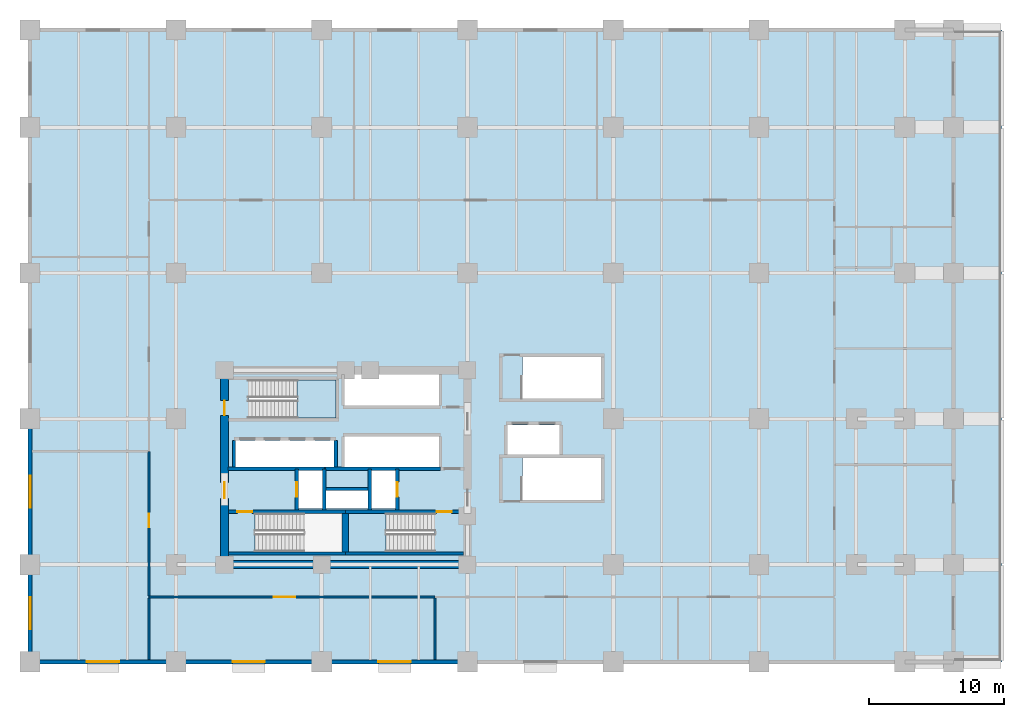
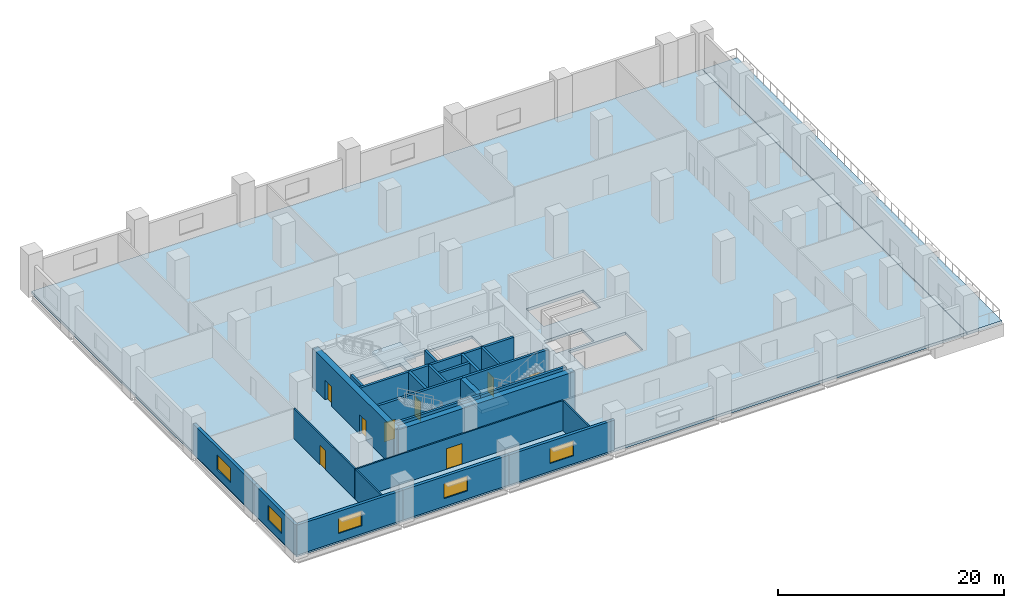
# One storey, part 3 of 8: 25 walls, 8 doors, 5 windows, 4 slabs, 13 openings, 2 elements without a shape of their own.
"""IFC4 building model written with IfcOpenShell, lengths in metres."""

from ifc_helpers import new_model, si_unit, direction, frame, frame_2d, origin, place, context, subcontext, project, spatial, polyline, rectangle, outline, extrude, material, layer, layer_set, type_object, element, fill, aggregate, save


model = new_model("IFC4")

# Units and contexts
model_context = context("Model", 3, precision=1e-05, world=origin(), true_north=direction((0.0, 1.0)))
body_context = subcontext(model_context, "Body", "Model", "MODEL_VIEW")
ifc_project = project(units=[si_unit("LENGTHUNIT", "METRE"), si_unit("AREAUNIT", "SQUARE_METRE"), si_unit("VOLUMEUNIT", "CUBIC_METRE"), si_unit("PLANEANGLEUNIT", "RADIAN"), si_unit("MASSUNIT", "GRAM", prefix="KILO")], contexts=[model_context])

# Site, building, storey
site_placement = place(None, origin())
site = spatial("IfcSite", under=ifc_project, at=site_placement, CompositionType="ELEMENT")
building_placement = place(site_placement, origin())
building = spatial("IfcBuilding", under=site, at=building_placement, Name="Solnavia Interchange Tower", CompositionType="ELEMENT")
storey_placement = place(building_placement, frame((0.0, 0.0, 19.39990234375)))
storey = spatial("IfcBuildingStorey", under=building, at=storey_placement, Name="L04", CompositionType="ELEMENT", Elevation=19.39990234375)

# Slabs
ifc_material_1 = material(Name="Concrete C40/50", Category="concrete")
ifc_layer_1 = layer(ifc_material_1, 0.300048828125)
ifc_layer_set_1 = layer_set([ifc_layer_1], Name="Concrete C40/50")
slab_type_1 = type_object("IfcSlabType", Name="Slab-Podium-300", PredefinedType="FLOOR", material=ifc_layer_set_1)
slab_1_placement = place(storey_placement, frame((0.0, 0.0, -0.2998046875)))
element("IfcSlab", 1, at=slab_1_placement, inside=storey, type_object=slab_type_1, Name="SLB-L04-01 Structural floor slab", PredefinedType="FLOOR", context=body_context, shape_type="SweptSolid", body=[
    extrude(outline(polyline([(0.0, 3.60009765625), (68.39990234375, 3.60009765625), (68.39990234375, 50.39990234375), (0.0, 50.39990234375), (0.0, 3.60009765625)]), holes=[polyline([(16.675048828125, 11.75), (23.10009765625, 11.75), (23.10009765625, 14.590087890625), (16.675048828125, 14.590087890625), (16.675048828125, 11.75)]), polyline([(23.60009765625, 11.75), (29.97509765625, 11.75), (29.97509765625, 14.590087890625), (23.60009765625, 14.590087890625), (23.60009765625, 11.75)]), polyline([(16.175048828125, 21.64990234375), (22.64990234375, 21.64990234375), (22.64990234375, 24.489990234375), (16.175048828125, 24.489990234375), (16.175048828125, 21.64990234375)]), polyline([(36.47509765625, 15.60009765625), (42.300048828125, 15.60009765625), (42.300048828125, 18.699951171875), (36.47509765625, 18.699951171875), (36.47509765625, 15.60009765625)]), polyline([(36.47509765625, 23.10009765625), (42.300048828125, 23.10009765625), (42.300048828125, 26.199951171875), (36.47509765625, 26.199951171875), (36.47509765625, 23.10009765625)]), polyline([(19.8798828125, 14.9599609375), (21.679931640625, 14.9599609375), (21.679931640625, 17.780029296875), (19.8798828125, 17.780029296875), (19.8798828125, 14.9599609375)]), polyline([(25.280029296875, 14.9599609375), (27.080078125, 14.9599609375), (27.080078125, 17.780029296875), (25.280029296875, 17.780029296875), (25.280029296875, 14.9599609375)]), polyline([(21.919921875, 14.9599609375), (25.02001953125, 14.9599609375), (25.02001953125, 16.280029296875), (21.919921875, 16.280029296875), (21.919921875, 14.9599609375)]), polyline([(15.219970703125, 18.02001953125), (22.52001953125, 18.02001953125), (22.52001953125, 20.0), (15.219970703125, 20.0), (15.219970703125, 18.02001953125)]), polyline([(23.300048828125, 18.02001953125), (30.280029296875, 18.02001953125), (30.280029296875, 20.300048828125), (23.300048828125, 20.300048828125), (23.300048828125, 18.02001953125)]), polyline([(23.300048828125, 22.580078125), (30.280029296875, 22.580078125), (30.280029296875, 25.0), (23.300048828125, 25.0), (23.300048828125, 22.580078125)]), polyline([(35.3798828125, 18.949951171875), (39.219970703125, 18.949951171875), (39.219970703125, 21.159912109375), (35.3798828125, 21.159912109375), (35.3798828125, 18.949951171875)])]), origin(), (0.0, 0.0, 1.0), 0.2998046875),
])
ifc_layer_2 = layer(ifc_material_1, 0.300048828125)
ifc_layer_set_2 = layer_set([ifc_layer_2], Name="Concrete C40/50")
slab_type_2 = type_object("IfcSlabType", Name="Slab-Roof-300", PredefinedType="ROOF", material=ifc_layer_set_2)
slab_2_placement = place(storey_placement, frame((0.0, 0.0, -0.2998046875)))
element("IfcSlab", 2, at=slab_2_placement, inside=storey, type_object=slab_type_2, Name="ROF-L04-01 Podium east terrace roof slab", PredefinedType="ROOF", context=body_context, shape_type="SweptSolid", body=[
    extrude(outline(polyline([(68.43994140625, 3.60009765625), (72.0, 3.60009765625), (72.0, 50.39990234375), (68.43994140625, 50.39990234375), (68.43994140625, 3.60009765625)])), origin(), (0.0, 0.0, 1.0), 0.2998046875),
])

# Stair, slab
stair_type = type_object("IfcStairType", Name="Stair-Dogleg-RC", PredefinedType="HALF_TURN_STAIR", material=ifc_material_1)
stair_1_placement = place(storey_placement, origin())
stair_1 = element("IfcStair", 3, at=stair_1_placement, inside=storey, type_object=stair_type, Name="L04 Core exit stair 2", PredefinedType="HALF_TURN_STAIR")
ifc_layer_3 = layer(ifc_material_1, 0.35009765625)
ifc_layer_set_3 = layer_set([ifc_layer_3], Name="Concrete C40/50")
slab_type_3 = type_object("IfcSlabType", Name="Slab-StairLanding-350", PredefinedType="LANDING", material=ifc_layer_set_3)
slab_3_placement = place(storey_placement, frame((0.0, 0.0, 1.9501953125)))
slab_3 = element("IfcSlab", 4, at=slab_3_placement, type_object=slab_type_3, Name="ST-2 landing 1", PredefinedType="LANDING", context=body_context, shape_type="SweptSolid", body=[
    extrude(outline(polyline([(23.60009765625, 11.75), (26.382080078125, 11.75), (26.382080078125, 14.590087890625), (23.60009765625, 14.590087890625), (23.60009765625, 11.75)])), origin(), (0.0, 0.0, 1.0), 0.349853515625),
])
aggregate(stair_1, [slab_3])

stair_2_placement = place(storey_placement, origin())
stair_2 = element("IfcStair", 5, at=stair_2_placement, inside=storey, type_object=stair_type, Name="L04 Core exit stair 3", PredefinedType="HALF_TURN_STAIR")
slab_4_placement = place(storey_placement, frame((0.0, 0.0, 1.9501953125)))
slab_4 = element("IfcSlab", 6, at=slab_4_placement, type_object=slab_type_3, Name="ST-3 landing 1", PredefinedType="LANDING", context=body_context, shape_type="SweptSolid", body=[
    extrude(outline(polyline([(19.76806640625, 21.64990234375), (22.64990234375, 21.64990234375), (22.64990234375, 24.489990234375), (19.76806640625, 24.489990234375), (19.76806640625, 21.64990234375)])), origin(), (0.0, 0.0, 1.0), 0.349853515625),
])
aggregate(stair_2, [slab_4])

# Wall, opening, window
ifc_layer_4 = layer(ifc_material_1, 0.300048828125)
ifc_layer_set_4 = layer_set([ifc_layer_4], Name="Concrete C40/50")
wall_type_1 = type_object("IfcWallType", Name="Wall-ExtSpandrel-300", PredefinedType="STANDARD", material=ifc_layer_set_4)
wall_1_placement = place(storey_placement, frame((10.800048828125, 3.60009765625, 0.0), z_axis=(0.0, 0.0, 1.0), x_axis=(-1.0, 0.0, 0.0)))
wall_1 = element("IfcWall", 7, at=wall_1_placement, inside=storey, type_object=wall_type_1, Name="EXW-L04-S01 South podium wall", PredefinedType="STANDARD", context=body_context, shape_type="SweptSolid", body=[
    extrude(rectangle(XDim=10.800048828125, YDim=0.300048828125, at=frame_2d((5.39990234375, 0.0))), origin(), (0.0, 0.0, 1.0), 3.22998046875),
])
opening_1_placement = place(wall_1_placement, frame((4.199951171875, 0.0, 0.85009765625)))
opening_1 = element("IfcOpeningElement", 8, at=opening_1_placement, cuts=wall_1, Name="Opening WIN-06", PredefinedType="OPENING", context=body_context, shape_type="SweptSolid", body=[
    extrude(rectangle(XDim=2.39990234375, YDim=1.60009765625, at=frame_2d((1.199951171875, 0.800048828125))), frame((0.0, 0.16015625, 0.0), z_axis=(0.0, -1.0, 0.0), x_axis=(1.0, 0.0, 0.0)), (0.0, 0.0, 1.0), 0.320068359375),
])
ifc_material_2 = material(Name="Thermal-Break Aluminium & Low-E Glass", Category="aluminium")
window_type = type_object("IfcWindowType", Name="Window-Podium-2400x1600", PartitioningType="SINGLE_PANEL", PredefinedType="WINDOW", material=ifc_material_2)
window_1_placement = place(opening_1_placement, origin())
window_1 = element("IfcWindow", 9, at=window_1_placement, inside=storey, type_object=window_type, Name="WIN-L04-S01 South podium window", OverallHeight=1.60009765625, OverallWidth=2.39990234375, PartitioningType="SINGLE_PANEL", PredefinedType="WINDOW", context=body_context, shape_type="SweptSolid", body=[
    extrude(rectangle(XDim=2.39990234375, YDim=1.60009765625, at=frame_2d((1.199951171875, 0.800048828125))), frame((0.0, 0.030029296875, 0.0), z_axis=(0.0, -1.0, 0.0), x_axis=(1.0, 0.0, 0.0)), (0.0, 0.0, 1.0), 0.06005859375),
])
fill(opening_1, window_1)

wall_2_placement = place(storey_placement, frame((21.60009765625, 3.60009765625, 0.0), z_axis=(0.0, 0.0, 1.0), x_axis=(-1.0, 0.0, 0.0)))
wall_2 = element("IfcWall", 10, at=wall_2_placement, inside=storey, type_object=wall_type_1, Name="EXW-L04-S02 South podium wall", PredefinedType="STANDARD", context=body_context, shape_type="SweptSolid", body=[
    extrude(rectangle(XDim=10.800048828125, YDim=0.300048828125, at=frame_2d((5.39990234375, 0.0))), origin(), (0.0, 0.0, 1.0), 3.22998046875),
])
opening_2_placement = place(wall_2_placement, frame((4.199951171875, 0.0, 0.85009765625)))
opening_2 = element("IfcOpeningElement", 11, at=opening_2_placement, cuts=wall_2, Name="Opening WIN-06", PredefinedType="OPENING", context=body_context, shape_type="SweptSolid", body=[
    extrude(rectangle(XDim=2.39990234375, YDim=1.60009765625, at=frame_2d((1.199951171875, 0.800048828125))), frame((0.0, 0.16015625, 0.0), z_axis=(0.0, -1.0, 0.0), x_axis=(1.0, 0.0, 0.0)), (0.0, 0.0, 1.0), 0.320068359375),
])
window_2_placement = place(opening_2_placement, origin())
window_2 = element("IfcWindow", 12, at=window_2_placement, inside=storey, type_object=window_type, Name="WIN-L04-S02 South podium window", OverallHeight=1.60009765625, OverallWidth=2.39990234375, PartitioningType="SINGLE_PANEL", PredefinedType="WINDOW", context=body_context, shape_type="SweptSolid", body=[
    extrude(rectangle(XDim=2.39990234375, YDim=1.60009765625, at=frame_2d((1.199951171875, 0.800048828125))), frame((0.0, 0.030029296875, 0.0), z_axis=(0.0, -1.0, 0.0), x_axis=(1.0, 0.0, 0.0)), (0.0, 0.0, 1.0), 0.06005859375),
])
fill(opening_2, window_2)

wall_3_placement = place(storey_placement, frame((32.39990234375, 3.60009765625, 0.0), z_axis=(0.0, 0.0, 1.0), x_axis=(-1.0, 0.0, 0.0)))
wall_3 = element("IfcWall", 13, at=wall_3_placement, inside=storey, type_object=wall_type_1, Name="EXW-L04-S03 South podium wall", PredefinedType="STANDARD", context=body_context, shape_type="SweptSolid", body=[
    extrude(rectangle(XDim=10.7998046875, YDim=0.300048828125, at=frame_2d((5.39990234375, 0.0))), origin(), (0.0, 0.0, 1.0), 3.22998046875),
])
opening_3_placement = place(wall_3_placement, frame((4.199951171875, 0.0, 0.85009765625)))
opening_3 = element("IfcOpeningElement", 14, at=opening_3_placement, cuts=wall_3, Name="Opening WIN-06", PredefinedType="OPENING", context=body_context, shape_type="SweptSolid", body=[
    extrude(rectangle(XDim=2.39990234375, YDim=1.60009765625, at=frame_2d((1.199951171875, 0.800048828125))), frame((0.0, 0.16015625, 0.0), z_axis=(0.0, -1.0, 0.0), x_axis=(1.0, 0.0, 0.0)), (0.0, 0.0, 1.0), 0.320068359375),
])
window_3_placement = place(opening_3_placement, origin())
window_3 = element("IfcWindow", 15, at=window_3_placement, inside=storey, type_object=window_type, Name="WIN-L04-S03 South podium window", OverallHeight=1.60009765625, OverallWidth=2.39990234375, PartitioningType="SINGLE_PANEL", PredefinedType="WINDOW", context=body_context, shape_type="SweptSolid", body=[
    extrude(rectangle(XDim=2.39990234375, YDim=1.60009765625, at=frame_2d((1.199951171875, 0.800048828125))), frame((0.0, 0.030029296875, 0.0), z_axis=(0.0, -1.0, 0.0), x_axis=(1.0, 0.0, 0.0)), (0.0, 0.0, 1.0), 0.06005859375),
])
fill(opening_3, window_3)

wall_4_placement = place(storey_placement, frame((0.0, 3.60009765625, 0.0), z_axis=(0.0, 0.0, 1.0), x_axis=(0.0, 1.0, 0.0)))
wall_4 = element("IfcWall", 16, at=wall_4_placement, inside=storey, type_object=wall_type_1, Name="EXW-L04-W01 West podium wall", PredefinedType="STANDARD", context=body_context, shape_type="SweptSolid", body=[
    extrude(rectangle(XDim=7.199951171875, YDim=0.300048828125, at=frame_2d((3.60009765625, 0.0))), origin(), (0.0, 0.0, 1.0), 3.22998046875),
])
opening_4_placement = place(wall_4_placement, frame((2.39990234375, 0.0, 0.85009765625)))
opening_4 = element("IfcOpeningElement", 17, at=opening_4_placement, cuts=wall_4, Name="Opening WIN-06", PredefinedType="OPENING", context=body_context, shape_type="SweptSolid", body=[
    extrude(rectangle(XDim=2.39990234375, YDim=1.60009765625, at=frame_2d((1.199951171875, 0.800048828125))), frame((0.0, 0.16015625, 0.0), z_axis=(0.0, -1.0, 0.0), x_axis=(1.0, 0.0, 0.0)), (0.0, 0.0, 1.0), 0.320068359375),
])
window_4_placement = place(opening_4_placement, origin())
window_4 = element("IfcWindow", 18, at=window_4_placement, inside=storey, type_object=window_type, Name="WIN-L04-W01 West podium window", OverallHeight=1.60009765625, OverallWidth=2.39990234375, PartitioningType="SINGLE_PANEL", PredefinedType="WINDOW", context=body_context, shape_type="SweptSolid", body=[
    extrude(rectangle(XDim=2.39990234375, YDim=1.60009765625, at=frame_2d((1.199951171875, 0.800048828125))), frame((0.0, 0.030029296875, 0.0), z_axis=(0.0, -1.0, 0.0), x_axis=(1.0, 0.0, 0.0)), (0.0, 0.0, 1.0), 0.06005859375),
])
fill(opening_4, window_4)

wall_5_placement = place(storey_placement, frame((0.0, 10.800048828125, 0.0), z_axis=(0.0, 0.0, 1.0), x_axis=(0.0, 1.0, 0.0)))
wall_5 = element("IfcWall", 19, at=wall_5_placement, inside=storey, type_object=wall_type_1, Name="EXW-L04-W02 West podium wall", PredefinedType="STANDARD", context=body_context, shape_type="SweptSolid", body=[
    extrude(rectangle(XDim=10.800048828125, YDim=0.300048828125, at=frame_2d((5.39990234375, 0.0))), origin(), (0.0, 0.0, 1.0), 3.22998046875),
])
opening_5_placement = place(wall_5_placement, frame((4.199951171875, 0.0, 0.85009765625)))
opening_5 = element("IfcOpeningElement", 20, at=opening_5_placement, cuts=wall_5, Name="Opening WIN-06", PredefinedType="OPENING", context=body_context, shape_type="SweptSolid", body=[
    extrude(rectangle(XDim=2.39990234375, YDim=1.60009765625, at=frame_2d((1.199951171875, 0.800048828125))), frame((0.0, 0.16015625, 0.0), z_axis=(0.0, -1.0, 0.0), x_axis=(1.0, 0.0, 0.0)), (0.0, 0.0, 1.0), 0.320068359375),
])
window_5_placement = place(opening_5_placement, origin())
window_5 = element("IfcWindow", 21, at=window_5_placement, inside=storey, type_object=window_type, Name="WIN-L04-W02 West podium window", OverallHeight=1.60009765625, OverallWidth=2.39990234375, PartitioningType="SINGLE_PANEL", PredefinedType="WINDOW", context=body_context, shape_type="SweptSolid", body=[
    extrude(rectangle(XDim=2.39990234375, YDim=1.60009765625, at=frame_2d((1.199951171875, 0.800048828125))), frame((0.0, 0.030029296875, 0.0), z_axis=(0.0, -1.0, 0.0), x_axis=(1.0, 0.0, 0.0)), (0.0, 0.0, 1.0), 0.06005859375),
])
fill(opening_5, window_5)

# Wall, opening, door
ifc_material_3 = material(Name="Gypsum Plasterboard & Steel Stud", Category="steel")
ifc_layer_5 = layer(ifc_material_3, 0.14990234375)
ifc_layer_set_5 = layer_set([ifc_layer_5], Name="Gypsum Plasterboard & Steel Stud")
wall_type_2 = type_object("IfcWallType", Name="Wall-Partition-150", PredefinedType="PARTITIONING", material=ifc_layer_set_5)
wall_6_placement = place(storey_placement, frame((8.800048828125, 8.39990234375, 0.0), z_axis=(0.0, 0.0, 1.0), x_axis=(1.0, 0.0, 0.0)))
wall_6 = element("IfcWall", 22, at=wall_6_placement, inside=storey, type_object=wall_type_2, Name="PTW-L04-01 Interior partition wall", PredefinedType="PARTITIONING", context=body_context, shape_type="SweptSolid", body=[
    extrude(rectangle(XDim=21.199951171875, YDim=0.14990234375, at=frame_2d((10.60009765625, 0.0))), origin(), (0.0, 0.0, 1.0), 3.22998046875),
])
opening_6_placement = place(wall_6_placement, frame((9.240966796875, 0.0, 0.0)))
opening_6 = element("IfcOpeningElement", 23, at=opening_6_placement, cuts=wall_6, Name="Opening DR-08", PredefinedType="OPENING", context=body_context, shape_type="SweptSolid", body=[
    extrude(rectangle(XDim=1.60009765625, YDim=2.199951171875, at=frame_2d((0.800048828125, 1.10009765625))), frame((0.0, 0.0849609375, 0.0), z_axis=(0.0, -1.0, 0.0), x_axis=(1.0, 0.0, 0.0)), (0.0, 0.0, 1.0), 0.169921875),
])
ifc_material_4 = material(Name="Thermally Broken Aluminium & Toughened Glass", Category="aluminium")
door_type_1 = type_object("IfcDoorType", Name="Door-RetailDouble-1600x2200", OperationType="DOUBLE_DOOR_SINGLE_SWING", PredefinedType="DOOR", material=ifc_material_4)
door_1_placement = place(opening_6_placement, origin())
door_1 = element("IfcDoor", 24, at=door_1_placement, inside=storey, type_object=door_type_1, Name="DR-L04-01 Interior room door", OperationType="DOUBLE_DOOR_SINGLE_SWING", OverallHeight=2.199951171875, OverallWidth=1.60009765625, PredefinedType="DOOR", context=body_context, shape_type="SweptSolid", body=[
    extrude(rectangle(XDim=1.60009765625, YDim=2.199951171875, at=frame_2d((0.800048828125, 1.10009765625))), frame((0.0, 0.02490234375, 0.0), z_axis=(0.0, -1.0, 0.0), x_axis=(1.0, 0.0, 0.0)), (0.0, 0.0, 1.0), 0.050048828125),
])
fill(opening_6, door_1)

# Walls
for number, where, z_axis, x_axis, name in (
    (25, (30.0, 3.75390625, 0.0), (0.0, 0.0, 1.0), (0.0, 1.0, 0.0), "PTW-L04-02 Interior partition wall"),
    (26, (8.800048828125, 3.75390625, 0.0), (0.0, 0.0, 1.0), (0.0, 1.0, 0.0), "PTW-L04-11 Interior partition wall"),
):
    element("IfcWall", number, at=place(storey_placement, frame(where, z_axis=z_axis, x_axis=x_axis)), inside=storey, type_object=wall_type_2, Name=name, PredefinedType="PARTITIONING", context=body_context, shape_type="SweptSolid", body=[
        extrude(rectangle(XDim=4.567138671875, YDim=0.14990234375, at=frame_2d((2.28369140625, 0.0))), origin(), (0.0, 0.0, 1.0), 3.22998046875),
    ])

# Wall, opening, door
wall_7_placement = place(storey_placement, frame((8.800048828125, 8.47900390625, 0.0), z_axis=(0.0, 0.0, 1.0), x_axis=(0.0, 1.0, 0.0)))
wall_7 = element("IfcWall", 27, at=wall_7_placement, inside=storey, type_object=wall_type_2, Name="PTW-L04-12 Interior partition wall", PredefinedType="PARTITIONING", context=body_context, shape_type="SweptSolid", body=[
    extrude(rectangle(XDim=10.720947265625, YDim=0.14990234375, at=frame_2d((5.3603515625, 0.0))), origin(), (0.0, 0.0, 1.0), 3.22998046875),
])
opening_7_placement = place(wall_7_placement, frame((5.10107421875, 0.0, 0.0)))
opening_7 = element("IfcOpeningElement", 28, at=opening_7_placement, cuts=wall_7, Name="Opening DR-07", PredefinedType="OPENING", context=body_context, shape_type="SweptSolid", body=[
    extrude(rectangle(XDim=1.0, YDim=2.10009765625, at=frame_2d((0.5, 1.050048828125))), frame((0.0, 0.0849609375, 0.0), z_axis=(0.0, -1.0, 0.0), x_axis=(1.0, 0.0, 0.0)), (0.0, 0.0, 1.0), 0.169921875),
])
ifc_material_5 = material(Name="Timber & Acoustic Glazed Office Door", Category="wood")
door_type_2 = type_object("IfcDoorType", Name="Door-Office-1000x2100", OperationType="SINGLE_SWING_RIGHT", PredefinedType="DOOR", material=ifc_material_5)
door_2_placement = place(opening_7_placement, origin())
door_2 = element("IfcDoor", 29, at=door_2_placement, inside=storey, type_object=door_type_2, Name="DR-L04-07 Interior room door", OperationType="SINGLE_SWING_LEFT", OverallHeight=2.10009765625, OverallWidth=1.0, PredefinedType="DOOR", context=body_context, shape_type="SweptSolid", body=[
    extrude(rectangle(XDim=1.0, YDim=2.10009765625, at=frame_2d((0.5, 1.050048828125))), frame((0.0, 0.02490234375, 0.0), z_axis=(0.0, -1.0, 0.0), x_axis=(1.0, 0.0, 0.0)), (0.0, 0.0, 1.0), 0.050048828125),
])
fill(opening_7, door_2)

# Wall
ifc_layer_6 = layer(ifc_material_1, 0.25)
ifc_layer_set_6 = layer_set([ifc_layer_6], Name="Concrete C40/50")
wall_type_3 = type_object("IfcWallType", Name="Wall-ShaftCore-250", PredefinedType="SHEAR", material=ifc_layer_set_6)
wall_8_placement = place(storey_placement, frame((14.699951171875, 11.625, 0.0), z_axis=(0.0, 0.0, 1.0), x_axis=(1.0, 0.0, 0.0)))
element("IfcWall", 30, at=wall_8_placement, inside=storey, type_object=wall_type_3, Name="SHW-L04-ST1S Core shear wall", PredefinedType="SHEAR", context=body_context, shape_type="SweptSolid", body=[
    extrude(rectangle(XDim=8.650146484375, YDim=0.25, at=frame_2d((4.3251953125, 0.0))), origin(), (0.0, 0.0, 1.0), 4.2001953125),
])

# Wall, opening, door
wall_9_placement = place(storey_placement, frame((14.699951171875, 14.715087890625, 0.0), z_axis=(0.0, 0.0, 1.0), x_axis=(1.0, 0.0, 0.0)))
wall_9 = element("IfcWall", 31, at=wall_9_placement, inside=storey, type_object=wall_type_3, Name="SHW-L04-ST1N Core shear wall", PredefinedType="SHEAR", context=body_context, shape_type="SweptSolid", body=[
    extrude(rectangle(XDim=8.650146484375, YDim=0.25, at=frame_2d((4.3251953125, 0.0))), origin(), (0.0, 0.0, 1.0), 4.2001953125),
])
opening_8_placement = place(wall_9_placement, frame((0.655029296875, 0.0, 0.0)))
opening_8 = element("IfcOpeningElement", 32, at=opening_8_placement, cuts=wall_9, Name="Opening DR-01", PredefinedType="OPENING", context=body_context, shape_type="SweptSolid", body=[
    extrude(rectangle(XDim=1.10009765625, YDim=2.10009765625, at=frame_2d((0.550048828125, 1.050048828125))), frame((0.0, 0.135009765625, 0.0), z_axis=(0.0, -1.0, 0.0), x_axis=(1.0, 0.0, 0.0)), (0.0, 0.0, 1.0), 0.27001953125),
])
ifc_material_6 = material(Name="Steel Fire-Rated Leaf & Frame", Category="steel")
door_type_3 = type_object("IfcDoorType", Name="Door-StairFire-1100x2100", OperationType="SINGLE_SWING_LEFT", PredefinedType="DOOR", material=ifc_material_6)
door_3_placement = place(opening_8_placement, origin())
door_3 = element("IfcDoor", 33, at=door_3_placement, inside=storey, type_object=door_type_3, Name="DR-L04-ST1 Core fire door", OperationType="SINGLE_SWING_LEFT", OverallHeight=2.10009765625, OverallWidth=1.10009765625, PredefinedType="DOOR", context=body_context, shape_type="SweptSolid", body=[
    extrude(rectangle(XDim=1.10009765625, YDim=2.10009765625, at=frame_2d((0.550048828125, 1.050048828125))), frame((0.0, 0.02490234375, 0.0), z_axis=(0.0, -1.0, 0.0), x_axis=(1.0, 0.0, 0.0)), (0.0, 0.0, 1.0), 0.050048828125),
])
fill(opening_8, door_3)

# Wall
wall_10_placement = place(storey_placement, frame((23.35009765625, 11.625, 0.0), z_axis=(0.0, 0.0, 1.0), x_axis=(1.0, 0.0, 0.0)))
element("IfcWall", 34, at=wall_10_placement, inside=storey, type_object=wall_type_3, Name="SHW-L04-ST2S Core shear wall", PredefinedType="SHEAR", context=body_context, shape_type="SweptSolid", body=[
    extrude(rectangle(XDim=8.75, YDim=0.25, at=frame_2d((4.375, 0.0))), origin(), (0.0, 0.0, 1.0), 4.2001953125),
])

# Wall, opening, door
wall_11_placement = place(storey_placement, frame((23.35009765625, 14.715087890625, 0.0), z_axis=(0.0, 0.0, 1.0), x_axis=(1.0, 0.0, 0.0)))
wall_11 = element("IfcWall", 35, at=wall_11_placement, inside=storey, type_object=wall_type_3, Name="SHW-L04-ST2N Core shear wall", PredefinedType="SHEAR", context=body_context, shape_type="SweptSolid", body=[
    extrude(rectangle(XDim=8.75, YDim=0.25, at=frame_2d((4.375, 0.0))), origin(), (0.0, 0.0, 1.0), 4.2001953125),
])
opening_9_placement = place(wall_11_placement, frame((6.77490234375, 0.0, 0.0)))
opening_9 = element("IfcOpeningElement", 36, at=opening_9_placement, cuts=wall_11, Name="Opening DR-01", PredefinedType="OPENING", context=body_context, shape_type="SweptSolid", body=[
    extrude(rectangle(XDim=1.10009765625, YDim=2.10009765625, at=frame_2d((0.550048828125, 1.050048828125))), frame((0.0, 0.135009765625, 0.0), z_axis=(0.0, -1.0, 0.0), x_axis=(1.0, 0.0, 0.0)), (0.0, 0.0, 1.0), 0.27001953125),
])
door_4_placement = place(opening_9_placement, origin())
door_4 = element("IfcDoor", 37, at=door_4_placement, inside=storey, type_object=door_type_3, Name="DR-L04-ST2 Core fire door", OperationType="SINGLE_SWING_LEFT", OverallHeight=2.10009765625, OverallWidth=1.10009765625, PredefinedType="DOOR", context=body_context, shape_type="SweptSolid", body=[
    extrude(rectangle(XDim=1.10009765625, YDim=2.10009765625, at=frame_2d((0.550048828125, 1.050048828125))), frame((0.0, 0.02490234375, 0.0), z_axis=(0.0, -1.0, 0.0), x_axis=(1.0, 0.0, 0.0)), (0.0, 0.0, 1.0), 0.050048828125),
])
fill(opening_9, door_4)

# Wall
ifc_layer_7 = layer(ifc_material_1, 0.25)
ifc_layer_set_7 = layer_set([ifc_layer_7], Name="Concrete C40/50")
wall_type_4 = type_object("IfcWallType", Name="Wall-ShaftPart-250", PredefinedType="PARTITIONING", material=ifc_layer_set_7)
wall_12_placement = place(storey_placement, frame((14.64990234375, 17.89990234375, 0.0), z_axis=(0.0, 0.0, 1.0), x_axis=(1.0, 0.0, 0.0)))
element("IfcWall", 38, at=wall_12_placement, inside=storey, type_object=wall_type_4, Name="SHW-L04-FFLW-N Core shaft wall", PredefinedType="PARTITIONING", context=body_context, shape_type="SweptSolid", body=[
    extrude(rectangle(XDim=7.150146484375, YDim=0.25, at=frame_2d((3.5751953125, 0.0))), origin(), (0.0, 0.0, 1.0), 4.18505859375),
])

# Wall, opening, door
wall_13_placement = place(storey_placement, frame((19.75, 14.840087890625, 0.0), z_axis=(0.0, 0.0, 1.0), x_axis=(0.0, 1.0, 0.0)))
wall_13 = element("IfcWall", 39, at=wall_13_placement, inside=storey, type_object=wall_type_4, Name="SHW-L04-FFL1-W Core shaft wall", PredefinedType="PARTITIONING", context=body_context, shape_type="SweptSolid", body=[
    extrude(rectangle(XDim=3.059814453125, YDim=0.25, at=frame_2d((1.52978515625, 0.0))), origin(), (0.0, 0.0, 1.0), 4.18505859375),
])
opening_10_placement = place(wall_13_placement, frame((0.97998046875, 0.0, 0.0)))
opening_10 = element("IfcOpeningElement", 40, at=opening_10_placement, cuts=wall_13, Name="Opening LD-01", PredefinedType="OPENING", context=body_context, shape_type="SweptSolid", body=[
    extrude(rectangle(XDim=1.10009765625, YDim=2.10009765625, at=frame_2d((0.550048828125, 1.050048828125))), frame((0.0, 0.135009765625, 0.0), z_axis=(0.0, -1.0, 0.0), x_axis=(1.0, 0.0, 0.0)), (0.0, 0.0, 1.0), 0.27001953125),
])
ifc_material_7 = material(Name="Brushed Stainless Steel Sliding Door", Category="steel")
door_type_4 = type_object("IfcDoorType", Name="Door-LiftLanding-1100x2100", OperationType="SLIDING_TO_LEFT", PredefinedType="DOOR", material=ifc_material_7)
door_5_placement = place(opening_10_placement, origin())
door_5 = element("IfcDoor", 41, at=door_5_placement, inside=storey, type_object=door_type_4, Name="LD-L04-FFL1 Lift landing sliding door", OperationType="SLIDING_TO_LEFT", OverallHeight=2.10009765625, OverallWidth=1.10009765625, PredefinedType="DOOR", context=body_context, shape_type="SweptSolid", body=[
    extrude(rectangle(XDim=1.10009765625, YDim=2.10009765625, at=frame_2d((0.550048828125, 1.050048828125))), frame((0.0, 0.02490234375, 0.0), z_axis=(0.0, -1.0, 0.0), x_axis=(1.0, 0.0, 0.0)), (0.0, 0.0, 1.0), 0.050048828125),
])
fill(opening_10, door_5)

# Walls
wall_14_placement = place(storey_placement, frame((21.800048828125, 14.840087890625, 0.0), z_axis=(0.0, 0.0, 1.0), x_axis=(0.0, 1.0, 0.0)))
element("IfcWall", 42, at=wall_14_placement, inside=storey, type_object=wall_type_4, Name="SHW-L04-FFL1-E Core shaft wall", PredefinedType="PARTITIONING", context=body_context, shape_type="SweptSolid", body=[
    extrude(rectangle(XDim=3.059814453125, YDim=0.25, at=frame_2d((1.52978515625, 0.0))), origin(), (0.0, 0.0, 1.0), 4.18505859375),
])
wall_15_placement = place(storey_placement, frame((21.8798828125, 17.89990234375, 0.0), z_axis=(0.0, 0.0, 1.0), x_axis=(1.0, 0.0, 0.0)))
element("IfcWall", 43, at=wall_15_placement, inside=storey, type_object=wall_type_4, Name="SHW-L04-FFLE-N1 Core shaft wall", PredefinedType="PARTITIONING", context=body_context, shape_type="SweptSolid", body=[
    extrude(rectangle(XDim=8.52001953125, YDim=0.25, at=frame_2d((4.260009765625, 0.0))), origin(), (0.0, 0.0, 1.0), 4.18505859375),
])
wall_16_placement = place(storey_placement, frame((25.14990234375, 14.840087890625, 0.0), z_axis=(0.0, 0.0, 1.0), x_axis=(0.0, 1.0, 0.0)))
element("IfcWall", 44, at=wall_16_placement, inside=storey, type_object=wall_type_4, Name="SHW-L04-FFL2-W Core shaft wall", PredefinedType="PARTITIONING", context=body_context, shape_type="SweptSolid", body=[
    extrude(rectangle(XDim=3.059814453125, YDim=0.25, at=frame_2d((1.52978515625, 0.0))), origin(), (0.0, 0.0, 1.0), 4.18505859375),
])

# Wall, opening, door
wall_17_placement = place(storey_placement, frame((27.199951171875, 14.840087890625, 0.0), z_axis=(0.0, 0.0, 1.0), x_axis=(0.0, 1.0, 0.0)))
wall_17 = element("IfcWall", 45, at=wall_17_placement, inside=storey, type_object=wall_type_4, Name="SHW-L04-FFL2-E Core shaft wall", PredefinedType="PARTITIONING", context=body_context, shape_type="SweptSolid", body=[
    extrude(rectangle(XDim=3.059814453125, YDim=0.25, at=frame_2d((1.52978515625, 0.0))), origin(), (0.0, 0.0, 1.0), 4.18505859375),
])
opening_11_placement = place(wall_17_placement, frame((0.97998046875, 0.0, 0.0)))
opening_11 = element("IfcOpeningElement", 46, at=opening_11_placement, cuts=wall_17, Name="Opening LD-01", PredefinedType="OPENING", context=body_context, shape_type="SweptSolid", body=[
    extrude(rectangle(XDim=1.10009765625, YDim=2.10009765625, at=frame_2d((0.550048828125, 1.050048828125))), frame((0.0, 0.135009765625, 0.0), z_axis=(0.0, -1.0, 0.0), x_axis=(1.0, 0.0, 0.0)), (0.0, 0.0, 1.0), 0.27001953125),
])
door_6_placement = place(opening_11_placement, origin())
door_6 = element("IfcDoor", 47, at=door_6_placement, inside=storey, type_object=door_type_4, Name="LD-L04-FFL2 Lift landing sliding door", OperationType="SLIDING_TO_LEFT", OverallHeight=2.10009765625, OverallWidth=1.10009765625, PredefinedType="DOOR", context=body_context, shape_type="SweptSolid", body=[
    extrude(rectangle(XDim=1.10009765625, YDim=2.10009765625, at=frame_2d((0.550048828125, 1.050048828125))), frame((0.0, 0.02490234375, 0.0), z_axis=(0.0, -1.0, 0.0), x_axis=(1.0, 0.0, 0.0)), (0.0, 0.0, 1.0), 0.050048828125),
])
fill(opening_11, door_6)

# Walls
wall_18_placement = place(storey_placement, frame((21.800048828125, 16.39990234375, 0.0), z_axis=(0.0, 0.0, 1.0), x_axis=(1.0, 0.0, 0.0)))
element("IfcWall", 48, at=wall_18_placement, inside=storey, type_object=wall_type_4, Name="SHW-L04-MEP-N Core shaft wall", PredefinedType="PARTITIONING", context=body_context, shape_type="SweptSolid", body=[
    extrude(rectangle(XDim=3.349853515625, YDim=0.25, at=frame_2d((1.6748046875, 0.0))), origin(), (0.0, 0.0, 1.0), 4.18505859375),
])
for number, where, z_axis, x_axis, name in (
    (49, (15.10009765625, 18.02490234375, 0.0), (0.0, 0.0, 1.0), (0.0, 1.0, 0.0), "SHW-L04-B1W Core shaft wall"),
    (50, (22.64990234375, 18.02490234375, 0.0), (0.0, 0.0, 1.0), (0.0, 1.0, 0.0), "SHW-L04-B1E Core shaft wall"),
):
    element("IfcWall", number, at=place(storey_placement, frame(where, z_axis=z_axis, x_axis=x_axis)), inside=storey, type_object=wall_type_4, Name=name, PredefinedType="PARTITIONING", context=body_context, shape_type="SweptSolid", body=[
        extrude(rectangle(XDim=1.97509765625, YDim=0.25, at=frame_2d((0.987548828125, 0.0))), origin(), (0.0, 0.0, 1.0), 4.18505859375),
    ])
ifc_material_8 = material(Name="Concrete C60/75", Category="concrete")
ifc_layer_8 = layer(ifc_material_8, 0.5)
ifc_layer_set_8 = layer_set([ifc_layer_8], Name="Concrete C60/75")
wall_type_5 = type_object("IfcWallType", Name="Wall-ShearCore-500", PredefinedType="SHEAR", material=ifc_layer_set_8)
wall_19_placement = place(storey_placement, frame((23.35009765625, 11.75, 0.0), z_axis=(0.0, 0.0, 1.0), x_axis=(0.0, 1.0, 0.0)))
element("IfcWall", 51, at=wall_19_placement, inside=storey, type_object=wall_type_5, Name="SHW-L04-ST12M Core shear wall", PredefinedType="SHEAR", context=body_context, shape_type="SweptSolid", body=[
    extrude(rectangle(XDim=2.840087890625, YDim=0.5, at=frame_2d((1.419921875, 0.0))), origin(), (0.0, 0.0, 1.0), 4.2001953125),
])
ifc_layer_9 = layer(ifc_material_8, 0.60009765625)
ifc_layer_set_9 = layer_set([ifc_layer_9], Name="Concrete C60/75")
wall_type_6 = type_object("IfcWallType", Name="Wall-ShearCore-600", PredefinedType="SHEAR", material=ifc_layer_set_9)
wall_20_placement = place(storey_placement, frame((14.39990234375, 10.800048828125, 0.0), z_axis=(0.0, 0.0, 1.0), x_axis=(1.0, 0.0, 0.0)))
element("IfcWall", 52, at=wall_20_placement, inside=storey, type_object=wall_type_6, Name="CRW-L04-S Core shear wall", PredefinedType="SHEAR", context=body_context, shape_type="SweptSolid", body=[
    extrude(rectangle(XDim=18.0, YDim=0.60009765625, at=frame_2d((9.0, 0.0))), origin(), (0.0, 0.0, 1.0), 4.2001953125),
])

# Wall, openings, doors
wall_21_placement = place(storey_placement, frame((14.39990234375, 10.800048828125, 0.0), z_axis=(0.0, 0.0, 1.0), x_axis=(0.0, 1.0, 0.0)))
wall_21 = element("IfcWall", 53, at=wall_21_placement, inside=storey, type_object=wall_type_6, Name="CRW-L04-W Core shear wall", PredefinedType="SHEAR", context=body_context, shape_type="SweptSolid", body=[
    extrude(rectangle(XDim=14.39990234375, YDim=0.60009765625, at=frame_2d((7.199951171875, 0.0))), origin(), (0.0, 0.0, 1.0), 4.2001953125),
])
opening_12_placement = place(wall_21_placement, frame((11.050048828125, 0.0, 0.0)))
opening_12 = element("IfcOpeningElement", 54, at=opening_12_placement, cuts=wall_21, Name="Opening DR-01", PredefinedType="OPENING", context=body_context, shape_type="SweptSolid", body=[
    extrude(rectangle(XDim=1.10009765625, YDim=2.10009765625, at=frame_2d((0.550048828125, 1.050048828125))), frame((0.0, 0.31005859375, 0.0), z_axis=(0.0, -1.0, 0.0), x_axis=(1.0, 0.0, 0.0)), (0.0, 0.0, 1.0), 0.6201171875),
])
opening_13_placement = place(wall_21_placement, frame((4.89990234375, 0.0, 0.0)))
opening_13 = element("IfcOpeningElement", 55, at=opening_13_placement, cuts=wall_21, Name="Opening DR-02", PredefinedType="OPENING", context=body_context, shape_type="SweptSolid", body=[
    extrude(rectangle(XDim=1.199951171875, YDim=2.10009765625, at=frame_2d((0.60009765625, 1.050048828125))), frame((0.0, 0.31005859375, 0.0), z_axis=(0.0, -1.0, 0.0), x_axis=(1.0, 0.0, 0.0)), (0.0, 0.0, 1.0), 0.6201171875),
])
ifc_material_9 = material(Name="Steel Fire-Rated Vision-Panel Door", Category="steel")
door_type_5 = type_object("IfcDoorType", Name="Door-LobbyFire-1200x2100", OperationType="SINGLE_SWING_RIGHT", PredefinedType="DOOR", material=ifc_material_9)
door_7_placement = place(opening_13_placement, origin())
door_7 = element("IfcDoor", 56, at=door_7_placement, inside=storey, type_object=door_type_5, Name="DR-L04-FFL1W Core fire door", OperationType="SINGLE_SWING_RIGHT", OverallHeight=2.10009765625, OverallWidth=1.199951171875, PredefinedType="DOOR", context=body_context, shape_type="SweptSolid", body=[
    extrude(rectangle(XDim=1.199951171875, YDim=2.10009765625, at=frame_2d((0.60009765625, 1.050048828125))), frame((0.0, 0.02490234375, 0.0), z_axis=(0.0, -1.0, 0.0), x_axis=(1.0, 0.0, 0.0)), (0.0, 0.0, 1.0), 0.050048828125),
])
fill(opening_13, door_7)
door_8_placement = place(opening_12_placement, origin())
door_8 = element("IfcDoor", 57, at=door_8_placement, inside=storey, type_object=door_type_3, Name="DR-L04-ST3 Core fire door", OperationType="SINGLE_SWING_RIGHT", OverallHeight=2.10009765625, OverallWidth=1.10009765625, PredefinedType="DOOR", context=body_context, shape_type="SweptSolid", body=[
    extrude(rectangle(XDim=1.10009765625, YDim=2.10009765625, at=frame_2d((0.550048828125, 1.050048828125))), frame((0.0, 0.02490234375, 0.0), z_axis=(0.0, -1.0, 0.0), x_axis=(1.0, 0.0, 0.0)), (0.0, 0.0, 1.0), 0.050048828125),
])
fill(opening_12, door_8)

save(model, "model.ifc")
